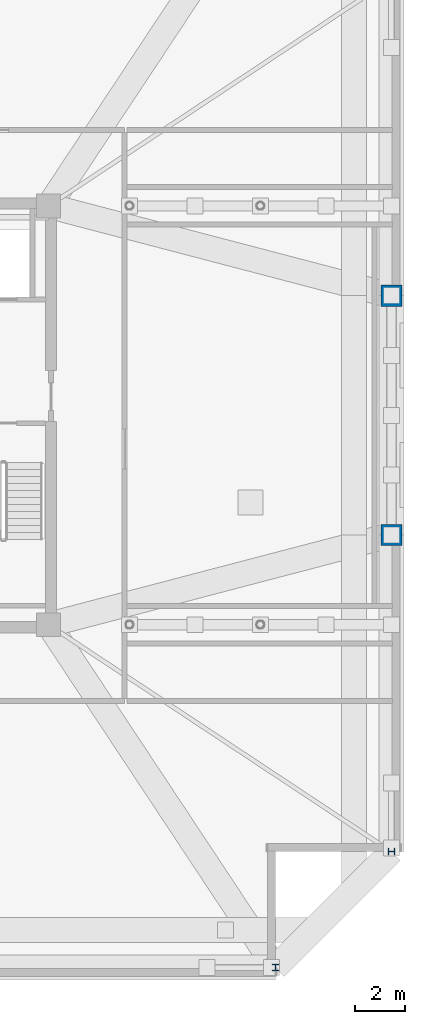
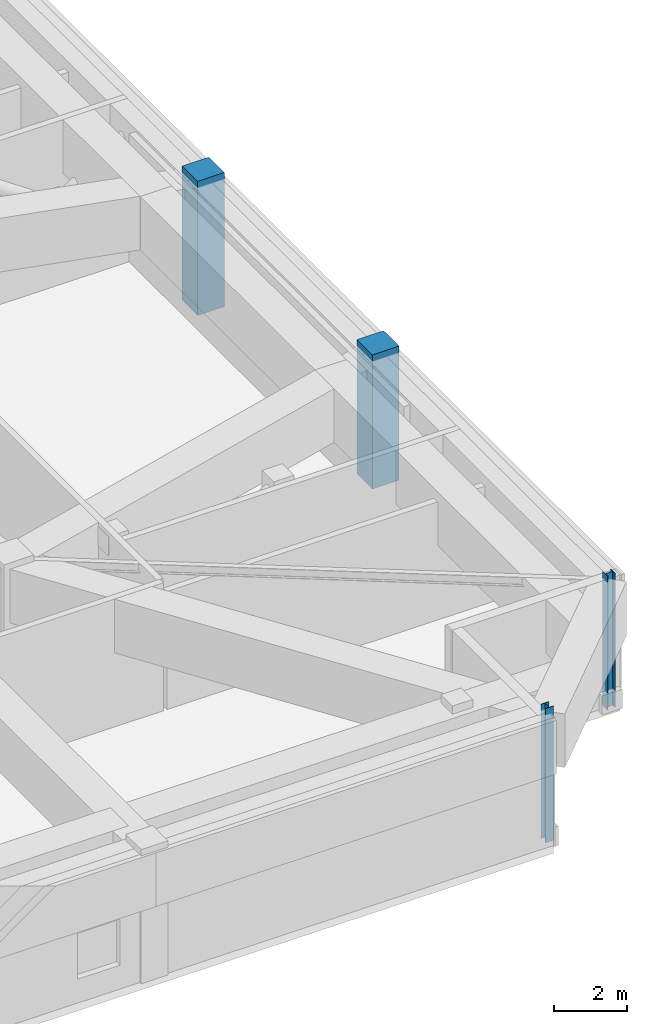
# One storey, part 3 of 17: 4 columns.
"""IFC4 building model written with IfcOpenShell, lengths in metres."""

from ifc_helpers import new_model, si_unit, direction, frame, origin, origin_2d, place, context, subcontext, project, spatial, rectangle, i_section, extrude, material, material_profile, profile_set, type_object, element, save


model = new_model("IFC4")

# Units and contexts
model_context = context("Model", 3, precision=1e-05, world=origin(), true_north=direction((0.0, 1.0)))
body_context = subcontext(model_context, "Body", "Model", "MODEL_VIEW")
ifc_project = project(units=[si_unit("LENGTHUNIT", "METRE"), si_unit("AREAUNIT", "SQUARE_METRE"), si_unit("VOLUMEUNIT", "CUBIC_METRE"), si_unit("PLANEANGLEUNIT", "RADIAN"), si_unit("MASSUNIT", "GRAM", prefix="KILO")], contexts=[model_context])

# Site, building, storey
site_placement = place(None, origin())
site = spatial("IfcSite", under=ifc_project, at=site_placement, CompositionType="ELEMENT")
building_placement = place(site_placement, origin())
building = spatial("IfcBuilding", under=site, at=building_placement, Name="Cairnveth Concourse Tower", CompositionType="ELEMENT")
storey_placement = place(building_placement, frame((0.0, 0.0, 276.0)))
storey = spatial("IfcBuildingStorey", under=building, at=storey_placement, Name="L76", CompositionType="ELEMENT", Elevation=276.0)

# Columns
ifc_material_1 = material(Name="Concrete N65 (65 MPa)", Category="concrete")
ifc_material_profile_1 = material_profile(ifc_material_1, rectangle(XDim=0.85009765625, YDim=0.85009765625, at=origin_2d()), Name="RC-COL-850x850")
ifc_profile_set_1 = profile_set([ifc_material_profile_1], Name="Concrete N65 (65 MPa)")
column_type_1 = type_object("IfcColumnType", Name="PERIMETER PIER COLUMN 850X850", PredefinedType="COLUMN", material=ifc_profile_set_1)
for number, where, z_axis, x_axis, name in (
    (1, (74.14990234375, 34.199951171875, 0.0), (0.0, 0.0, 1.0), (0.0, 1.0, 0.0), "Column P-E2 L76"),
    (2, (74.14990234375, 43.800048828125, 0.0), (0.0, 0.0, 1.0), (0.0, 1.0, 0.0), "Column P-E3 L76"),
):
    element("IfcColumn", number, at=place(storey_placement, frame(where, z_axis=z_axis, x_axis=x_axis)), inside=storey, type_object=column_type_1, Name=name, PredefinedType="COLUMN", context=body_context, shape_type="SweptSolid", body=[
        extrude(rectangle(XDim=0.85009765625, YDim=0.85009765625, at=origin_2d()), origin(), (0.0, 0.0, 1.0), 4.5),
    ])
ifc_material_2 = material(Name="Steel Grade 350", Category="steel")
ifc_material_profile_2 = material_profile(ifc_material_2, i_section(OverallWidth=0.256103515625, OverallDepth=0.260009765625, WebThickness=0.010498046875, FlangeThickness=0.017333984375, FilletRadius=0.012939453125, at=origin_2d()), Name="250UC89.5")
ifc_profile_set_2 = profile_set([ifc_material_profile_2], Name="Steel Grade 350")
column_type_2 = type_object("IfcColumnType", Name="UNIVERSAL STEEL COLUMN 250UC89.5", PredefinedType="COLUMN", material=ifc_profile_set_2)
for number, where, z_axis, x_axis, name in (
    (3, (69.5, 16.85009765625, 0.0), (0.0, 0.0, 1.0), (1.0, 0.0, 0.0), "Column P-S4 L76"),
    (4, (74.14990234375, 21.5, 0.0), (0.0, 0.0, 1.0), (0.0, 1.0, 0.0), "Column P-E1 L76"),
):
    element("IfcColumn", number, at=place(storey_placement, frame(where, z_axis=z_axis, x_axis=x_axis)), inside=storey, type_object=column_type_2, Name=name, PredefinedType="COLUMN", context=body_context, shape_type="SweptSolid", body=[
        extrude(i_section(OverallWidth=0.256103515625, OverallDepth=0.260009765625, WebThickness=0.010498046875, FlangeThickness=0.017333984375, FilletRadius=0.012939453125, at=origin_2d()), origin(), (0.0, 0.0, 1.0), 4.5),
    ])

save(model, "model.ifc")
